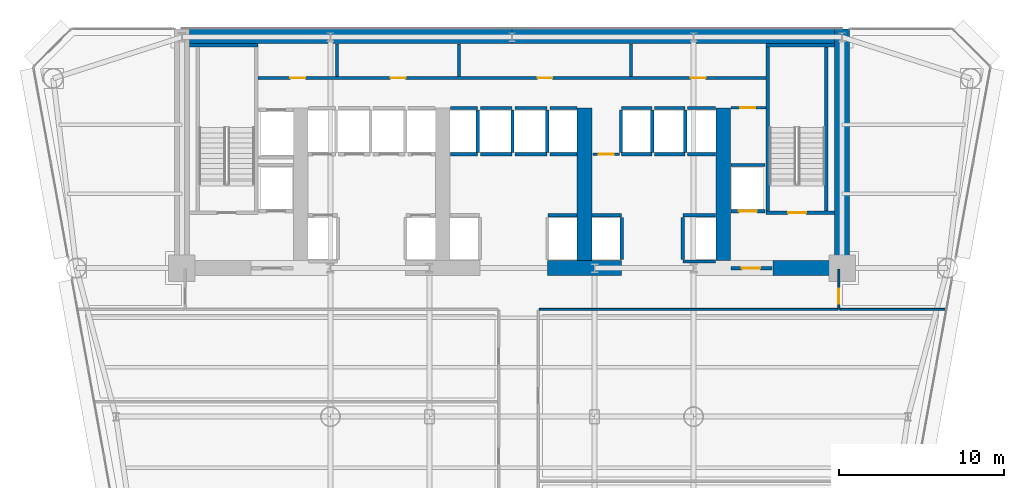
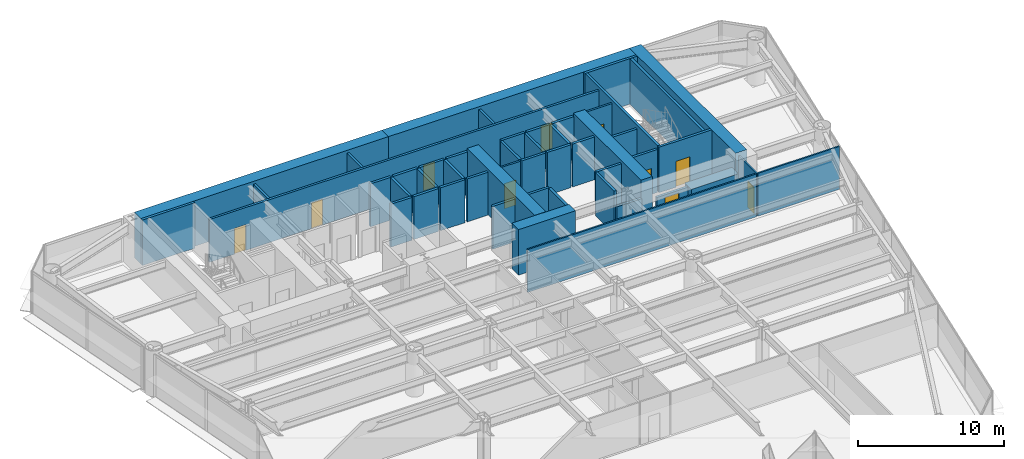
# One storey, part 9 of 14: 50 walls, 10 doors, 10 openings.
"""IFC4 building model written with IfcOpenShell, lengths in metres."""

from ifc_helpers import new_model, si_unit, direction, frame, frame_2d, origin, place, context, subcontext, project, spatial, rectangle, extrude, source, transform, mapped, material, layer, layer_set, type_object, element, fill, save


model = new_model("IFC4")

# Units and contexts
model_context = context("Model", 3, precision=1e-05, world=origin(), true_north=direction((0.0, 1.0)))
body_context = subcontext(model_context, "Body", "Model", "MODEL_VIEW")
ifc_project = project(units=[si_unit("LENGTHUNIT", "METRE"), si_unit("AREAUNIT", "SQUARE_METRE"), si_unit("VOLUMEUNIT", "CUBIC_METRE"), si_unit("PLANEANGLEUNIT", "RADIAN"), si_unit("MASSUNIT", "GRAM", prefix="KILO")], contexts=[model_context])

# Site, building, storey
site_placement = place(None, origin())
site = spatial("IfcSite", under=ifc_project, at=site_placement, CompositionType="ELEMENT")
building_placement = place(site_placement, origin())
building = spatial("IfcBuilding", under=site, at=building_placement, Name="Vaeldorn Concourse Tower", CompositionType="ELEMENT")
storey_placement = place(building_placement, frame((0.0, 0.0, 37.800048828125)))
storey = spatial("IfcBuildingStorey", under=building, at=storey_placement, Name="L09", CompositionType="ELEMENT", Elevation=37.800048828125)

# Walls
ifc_material_1 = material(Name="Concrete C60/75", Category="concrete")
ifc_layer_1 = layer(ifc_material_1, 0.89990234375)
ifc_layer_set_1 = layer_set([ifc_layer_1], Name="Concrete C60/75")
wall_type_1 = type_object("IfcWallType", Name="WL-CORE-900", PredefinedType="SHEAR", material=ifc_layer_set_1)
for number, where, z_axis, x_axis, name in (
    (1, (14.4541015625, 50.550048828125, 0.0), (0.0, 0.0, 1.0), (1.0, 0.0, 0.0), "Rear Core Shear Wall L09 N1"),
    (2, (34.001953125, 50.550048828125, 0.0), (0.0, 0.0, 1.0), (1.0, 0.0, 0.0), "Rear Core Shear Wall L09 N2"),
):
    element("IfcWall", number, at=place(storey_placement, frame(where, z_axis=z_axis, x_axis=x_axis)), inside=storey, type_object=wall_type_1, Name=name, PredefinedType="SHEAR", context=body_context, shape_type="SweptSolid", body=[
        extrude(rectangle(XDim=19.5439453125, YDim=0.89990234375, at=frame_2d((9.77197265625, 0.0))), origin(), (0.0, 0.0, 1.0), 3.800048828125),
    ])
wall_1_placement = place(storey_placement, frame((54.0, 36.5, 0.0), z_axis=(0.0, 0.0, 1.0), x_axis=(0.0, 1.0, 0.0)))
element("IfcWall", 3, at=wall_1_placement, inside=storey, type_object=wall_type_1, Name="Rear Core Shear Wall L09 E1", PredefinedType="SHEAR", context=body_context, shape_type="SweptSolid", body=[
    extrude(rectangle(XDim=14.5, YDim=0.89990234375, at=frame_2d((7.25, 0.0))), origin(), (0.0, 0.0, 1.0), 3.800048828125),
])
wall_2_placement = place(storey_placement, frame((36.14990234375, 36.5, 0.0), z_axis=(0.0, 0.0, 1.0), x_axis=(1.0, 0.0, 0.0)))
element("IfcWall", 4, at=wall_2_placement, inside=storey, type_object=wall_type_1, Name="Rear Core Shear Wall L09 S3", PredefinedType="SHEAR", context=body_context, shape_type="SweptSolid", body=[
    extrude(rectangle(XDim=4.5, YDim=0.89990234375, at=frame_2d((2.25, 0.0))), origin(), (0.0, 0.0, 1.0), 3.800048828125),
])
wall_3_placement = place(storey_placement, frame((49.800048828125, 36.5, 0.0), z_axis=(0.0, 0.0, 1.0), x_axis=(1.0, 0.0, 0.0)))
element("IfcWall", 5, at=wall_3_placement, inside=storey, type_object=wall_type_1, Name="Rear Core Shear Wall L09 S4", PredefinedType="SHEAR", context=body_context, shape_type="SweptSolid", body=[
    extrude(rectangle(XDim=3.72998046875, YDim=0.89990234375, at=frame_2d((1.864990234375, 0.0))), origin(), (0.0, 0.0, 1.0), 2.3798828125),
])
for number, where, z_axis, x_axis, name in (
    (6, (38.39990234375, 36.969970703125, 0.0), (0.0, 0.0, 1.0), (0.0, 1.0, 0.0), "Rear Core Shear Wall L09 M3"),
    (7, (46.800048828125, 36.969970703125, 0.0), (0.0, 0.0, 1.0), (0.0, 1.0, 0.0), "Rear Core Shear Wall L09 M4"),
):
    element("IfcWall", number, at=place(storey_placement, frame(where, z_axis=z_axis, x_axis=x_axis)), inside=storey, type_object=wall_type_1, Name=name, PredefinedType="SHEAR", context=body_context, shape_type="SweptSolid", body=[
        extrude(rectangle(XDim=9.22998046875, YDim=0.89990234375, at=frame_2d((4.614990234375, 0.0))), origin(), (0.0, 0.0, 1.0), 3.800048828125),
    ])
ifc_material_2 = material(Name="Gypsum Board Partition", Category="gypsum")
ifc_layer_2 = layer(ifc_material_2, 0.1201171875)
ifc_layer_set_2 = layer_set([ifc_layer_2], Name="Gypsum Board Partition")
wall_type_2 = type_object("IfcWallType", Name="WL-PART-120", PredefinedType="PARTITIONING", material=ifc_layer_set_2)
wall_4_placement = place(storey_placement, frame((35.659912109375, 34.0, 0.0), z_axis=(0.0, 0.0, 1.0), x_axis=(1.0, 0.0, 0.0)))
element("IfcWall", 8, at=wall_4_placement, inside=storey, type_object=wall_type_2, Name="Interior Wall PW-L09-C3SE", PredefinedType="PARTITIONING", context=body_context, shape_type="SweptSolid", body=[
    extrude(rectangle(XDim=18.080078125, YDim=0.1201171875, at=frame_2d((9.0400390625, 0.0))), origin(), (0.0, 0.0, 1.0), 3.579833984375),
])

# Wall, opening, door
wall_5_placement = place(storey_placement, frame((53.800048828125, 34.0, 0.0), z_axis=(0.0, 0.0, 1.0), x_axis=(0.0, 1.0, 0.0)))
wall_5 = element("IfcWall", 9, at=wall_5_placement, inside=storey, type_object=wall_type_2, Name="Interior Wall PW-L09-C3E", PredefinedType="PARTITIONING", context=body_context, shape_type="SweptSolid", body=[
    extrude(rectangle(XDim=2.43994140625, YDim=0.1201171875, at=frame_2d((1.219970703125, 0.0))), origin(), (0.0, 0.0, 1.0), 3.579833984375),
])
opening_1_placement = place(wall_5_placement, frame((0.35009765625, 0.0, 0.0)))
opening_1 = element("IfcOpeningElement", 10, at=opening_1_placement, cuts=wall_5, Name="Opening D-03", PredefinedType="OPENING", context=body_context, shape_type="SweptSolid", body=[
    extrude(rectangle(XDim=0.89990234375, YDim=2.14990234375, at=frame_2d((0.449951171875, 1.074951171875))), frame((0.0, 0.070068359375, 0.0), z_axis=(0.0, -1.0, 0.0), x_axis=(1.0, 0.0, 0.0)), (0.0, 0.0, 1.0), 0.14013671875),
])
ifc_material_3 = material(Name="Acoustic Bronze-Framed Glass Door", Category="glass")
door_type_1 = type_object("IfcDoorType", Name="DR-INT-900", OperationType="NOTDEFINED", PredefinedType="DOOR", material=ifc_material_3)
shared_shape_1 = source(origin(), body_context, "Body", "SweptSolid", [
    extrude(rectangle(XDim=0.89990234375, YDim=2.14990234375, at=frame_2d((0.449951171875, 1.074951171875))), frame((0.0, 0.02490234375, 0.0), z_axis=(0.0, -1.0, 0.0), x_axis=(1.0, 0.0, 0.0)), (0.0, 0.0, 1.0), 0.050048828125),
])
door_1_placement = place(opening_1_placement, origin())
door_1 = element("IfcDoor", 11, at=door_1_placement, inside=storey, type_object=door_type_1, Name="Interior Door DR-L09-Z3NE", OperationType="SINGLE_SWING_RIGHT", OverallHeight=2.14990234375, OverallWidth=0.89990234375, PredefinedType="DOOR", context=body_context, shape_type="MappedRepresentation", body=[
    mapped(shared_shape_1, transform((0.0, 0.0, 0.0), scale=1.0)),
])
fill(opening_1, door_1)

# Wall
wall_6_placement = place(storey_placement, frame((53.860107421875, 34.0, 0.0), z_axis=(0.0, 0.0, 1.0), x_axis=(1.0, 0.0, 0.0)))
element("IfcWall", 12, at=wall_6_placement, inside=storey, type_object=wall_type_2, Name="Interior Wall PW-L09-Z3NEB", PredefinedType="PARTITIONING", context=body_context, shape_type="SweptSolid", body=[
    extrude(rectangle(XDim=6.427490234375, YDim=0.1201171875, at=frame_2d((3.2138671875, 0.0))), origin(), (0.0, 0.0, 1.0), 3.579833984375),
])

# Wall, opening, door
ifc_layer_3 = layer(ifc_material_2, 0.14990234375)
ifc_layer_set_3 = layer_set([ifc_layer_3], Name="Gypsum Board Partition")
wall_type_3 = type_object("IfcWallType", Name="WL-PART-150", PredefinedType="PARTITIONING", material=ifc_layer_set_3)
wall_7_placement = place(storey_placement, frame((47.280029296875, 46.219970703125, 0.0), z_axis=(0.0, 0.0, 1.0), x_axis=(1.0, 0.0, 0.0)))
wall_7 = element("IfcWall", 13, at=wall_7_placement, inside=storey, type_object=wall_type_3, Name="Interior Wall CW-L09-CRSE-N", PredefinedType="PARTITIONING", context=body_context, shape_type="SweptSolid", body=[
    extrude(rectangle(XDim=2.099853515625, YDim=0.14990234375, at=frame_2d((1.0498046875, 0.0))), origin(), (0.0, 0.0, 1.0), 3.579833984375),
])
opening_2_placement = place(wall_7_placement, frame((0.550048828125, 0.0, 0.0)))
opening_2 = element("IfcOpeningElement", 14, at=opening_2_placement, cuts=wall_7, Name="Opening D-02", PredefinedType="OPENING", context=body_context, shape_type="SweptSolid", body=[
    extrude(rectangle(XDim=0.89990234375, YDim=2.10009765625, at=frame_2d((0.449951171875, 1.050048828125))), frame((0.0, 0.0849609375, 0.0), z_axis=(0.0, -1.0, 0.0), x_axis=(1.0, 0.0, 0.0)), (0.0, 0.0, 1.0), 0.169921875),
])
ifc_material_4 = material(Name="Fire-Rated Timber Leaf", Category="wood")
door_type_2 = type_object("IfcDoorType", Name="DR-FD30-900", OperationType="NOTDEFINED", PredefinedType="DOOR", material=ifc_material_4)
shared_shape_2 = source(origin(), body_context, "Body", "SweptSolid", [
    extrude(rectangle(XDim=0.89990234375, YDim=2.10009765625, at=frame_2d((0.449951171875, 1.050048828125))), frame((0.0, 0.02490234375, 0.0), z_axis=(0.0, -1.0, 0.0), x_axis=(1.0, 0.0, 0.0)), (0.0, 0.0, 1.0), 0.050048828125),
])
door_2_placement = place(opening_2_placement, origin())
door_2 = element("IfcDoor", 15, at=door_2_placement, inside=storey, type_object=door_type_2, Name="Interior Door DR-L09-CRSE", OperationType="SINGLE_SWING_RIGHT", OverallHeight=2.10009765625, OverallWidth=0.89990234375, PredefinedType="DOOR", context=body_context, shape_type="MappedRepresentation", body=[
    mapped(shared_shape_2, transform((0.0, 0.0, 0.0), scale=1.0)),
])
fill(opening_2, door_2)

wall_8_placement = place(storey_placement, frame((38.919921875, 43.39990234375, 0.0), z_axis=(0.0, 0.0, 1.0), x_axis=(1.0, 0.0, 0.0)))
wall_8 = element("IfcWall", 16, at=wall_8_placement, inside=storey, type_object=wall_type_3, Name="Interior Wall CW-L09-CCLINK", PredefinedType="PARTITIONING", context=body_context, shape_type="SweptSolid", body=[
    extrude(rectangle(XDim=1.60009765625, YDim=0.14990234375, at=frame_2d((0.800048828125, 0.0))), origin(), (0.0, 0.0, 1.0), 3.579833984375),
])
opening_3_placement = place(wall_8_placement, frame((0.35009765625, 0.0, 0.0)))
opening_3 = element("IfcOpeningElement", 17, at=opening_3_placement, cuts=wall_8, Name="Opening D-02", PredefinedType="OPENING", context=body_context, shape_type="SweptSolid", body=[
    extrude(rectangle(XDim=0.89990234375, YDim=2.10009765625, at=frame_2d((0.449951171875, 1.050048828125))), frame((0.0, 0.0849609375, 0.0), z_axis=(0.0, -1.0, 0.0), x_axis=(1.0, 0.0, 0.0)), (0.0, 0.0, 1.0), 0.169921875),
])
door_3_placement = place(opening_3_placement, origin())
door_3 = element("IfcDoor", 18, at=door_3_placement, inside=storey, type_object=door_type_2, Name="Interior Door DR-L09-CCLINK", OperationType="SINGLE_SWING_LEFT", OverallHeight=2.10009765625, OverallWidth=0.89990234375, PredefinedType="DOOR", context=body_context, shape_type="MappedRepresentation", body=[
    mapped(shared_shape_2, transform((0.0, 0.0, 0.0), scale=1.0)),
])
fill(opening_3, door_3)

# Wall, openings, doors
ifc_layer_4 = layer(ifc_material_2, 0.179931640625)
ifc_layer_set_4 = layer_set([ifc_layer_4], Name="Gypsum Board Partition")
wall_type_4 = type_object("IfcWallType", Name="WL-PLUMB-180", PredefinedType="PLUMBINGWALL", material=ifc_layer_set_4)
wall_9_placement = place(storey_placement, frame((18.6201171875, 48.02001953125, 0.0), z_axis=(0.0, 0.0, 1.0), x_axis=(1.0, 0.0, 0.0)))
wall_9 = element("IfcWall", 19, at=wall_9_placement, inside=storey, type_object=wall_type_4, Name="Interior Wall CW-L09-NS0", PredefinedType="PLUMBINGWALL", context=body_context, shape_type="SweptSolid", body=[
    extrude(rectangle(XDim=30.759765625, YDim=0.179931640625, at=frame_2d((15.3798828125, 0.0))), origin(), (0.0, 0.0, 1.0), 3.579833984375),
])
opening_4_placement = place(wall_9_placement, frame((1.955078125, 0.0, 0.0)))
opening_4 = element("IfcOpeningElement", 20, at=opening_4_placement, cuts=wall_9, Name="Opening D-03", PredefinedType="OPENING", context=body_context, shape_type="SweptSolid", body=[
    extrude(rectangle(XDim=0.89990234375, YDim=2.14990234375, at=frame_2d((0.449951171875, 1.074951171875))), frame((0.0, 0.10009765625, 0.0), z_axis=(0.0, -1.0, 0.0), x_axis=(1.0, 0.0, 0.0)), (0.0, 0.0, 1.0), 0.199951171875),
])
opening_5_placement = place(wall_9_placement, frame((8.030029296875, 0.0, 0.0)))
opening_5 = element("IfcOpeningElement", 21, at=opening_5_placement, cuts=wall_9, Name="Opening D-03", PredefinedType="OPENING", context=body_context, shape_type="SweptSolid", body=[
    extrude(rectangle(XDim=0.89990234375, YDim=2.14990234375, at=frame_2d((0.449951171875, 1.074951171875))), frame((0.0, 0.10009765625, 0.0), z_axis=(0.0, -1.0, 0.0), x_axis=(1.0, 0.0, 0.0)), (0.0, 0.0, 1.0), 0.199951171875),
])
opening_6_placement = place(wall_9_placement, frame((16.929931640625, 0.0, 0.0)))
opening_6 = element("IfcOpeningElement", 22, at=opening_6_placement, cuts=wall_9, Name="Opening D-03", PredefinedType="OPENING", context=body_context, shape_type="SweptSolid", body=[
    extrude(rectangle(XDim=0.89990234375, YDim=2.14990234375, at=frame_2d((0.449951171875, 1.074951171875))), frame((0.0, 0.10009765625, 0.0), z_axis=(0.0, -1.0, 0.0), x_axis=(1.0, 0.0, 0.0)), (0.0, 0.0, 1.0), 0.199951171875),
])
opening_7_placement = place(wall_9_placement, frame((26.205078125, 0.0, 0.0)))
opening_7 = element("IfcOpeningElement", 23, at=opening_7_placement, cuts=wall_9, Name="Opening D-03", PredefinedType="OPENING", context=body_context, shape_type="SweptSolid", body=[
    extrude(rectangle(XDim=0.89990234375, YDim=2.14990234375, at=frame_2d((0.449951171875, 1.074951171875))), frame((0.0, 0.10009765625, 0.0), z_axis=(0.0, -1.0, 0.0), x_axis=(1.0, 0.0, 0.0)), (0.0, 0.0, 1.0), 0.199951171875),
])
door_4_placement = place(opening_4_placement, origin())
door_4 = element("IfcDoor", 24, at=door_4_placement, inside=storey, type_object=door_type_1, Name="Interior Door DR-L09-CS1", OperationType="SINGLE_SWING_LEFT", OverallHeight=2.14990234375, OverallWidth=0.89990234375, PredefinedType="DOOR", context=body_context, shape_type="MappedRepresentation", body=[
    mapped(shared_shape_1, transform((0.0, 0.0, 0.0), scale=1.0)),
])
fill(opening_4, door_4)
door_5_placement = place(opening_5_placement, origin())
door_5 = element("IfcDoor", 25, at=door_5_placement, inside=storey, type_object=door_type_1, Name="Interior Door DR-L09-CS2", OperationType="SINGLE_SWING_RIGHT", OverallHeight=2.14990234375, OverallWidth=0.89990234375, PredefinedType="DOOR", context=body_context, shape_type="MappedRepresentation", body=[
    mapped(shared_shape_1, transform((0.0, 0.0, 0.0), scale=1.0)),
])
fill(opening_5, door_5)
door_6_placement = place(opening_6_placement, origin())
door_6 = element("IfcDoor", 26, at=door_6_placement, inside=storey, type_object=door_type_1, Name="Interior Door DR-L09-CS3", OperationType="SINGLE_SWING_LEFT", OverallHeight=2.14990234375, OverallWidth=0.89990234375, PredefinedType="DOOR", context=body_context, shape_type="MappedRepresentation", body=[
    mapped(shared_shape_1, transform((0.0, 0.0, 0.0), scale=1.0)),
])
fill(opening_6, door_6)
door_7_placement = place(opening_7_placement, origin())
door_7 = element("IfcDoor", 27, at=door_7_placement, inside=storey, type_object=door_type_1, Name="Interior Door DR-L09-CS4", OperationType="SINGLE_SWING_RIGHT", OverallHeight=2.14990234375, OverallWidth=0.89990234375, PredefinedType="DOOR", context=body_context, shape_type="MappedRepresentation", body=[
    mapped(shared_shape_1, transform((0.0, 0.0, 0.0), scale=1.0)),
])
fill(opening_7, door_7)

# Walls
for number, where, z_axis, x_axis, name in (
    (28, (23.39990234375, 48.10009765625, 0.0), (0.0, 0.0, 1.0), (0.0, 1.0, 0.0), "Interior Wall CW-L09-NDIV1"),
    (29, (30.800048828125, 48.10009765625, 0.0), (0.0, 0.0, 1.0), (0.0, 1.0, 0.0), "Interior Wall CW-L09-NDIV2"),
    (30, (41.199951171875, 48.10009765625, 0.0), (0.0, 0.0, 1.0), (0.0, 1.0, 0.0), "Interior Wall CW-L09-NDIV3"),
):
    element("IfcWall", number, at=place(storey_placement, frame(where, z_axis=z_axis, x_axis=x_axis)), inside=storey, type_object=wall_type_4, Name=name, PredefinedType="PLUMBINGWALL", context=body_context, shape_type="SweptSolid", body=[
        extrude(rectangle(XDim=1.97998046875, YDim=0.179931640625, at=frame_2d((0.989990234375, 0.0))), origin(), (0.0, 0.0, 1.0), 3.579833984375),
    ])
ifc_material_5 = material(Name="Concrete C50/60", Category="concrete")
ifc_layer_5 = layer(ifc_material_5, 0.199951171875)
ifc_layer_set_5 = layer_set([ifc_layer_5], Name="Concrete C50/60")
wall_type_5 = type_object("IfcWallType", Name="WL-SHAFT-200", PredefinedType="SOLIDWALL", material=ifc_layer_set_5)
wall_10_placement = place(storey_placement, frame((14.449951171875, 50.0, 0.0), z_axis=(0.0, 0.0, 1.0), x_axis=(1.0, 0.0, 0.0)))
element("IfcWall", 31, at=wall_10_placement, inside=storey, type_object=wall_type_5, Name="Stair Shaft Wall CW-L09-ST-1-N", PredefinedType="SOLIDWALL", context=body_context, shape_type="SweptSolid", body=[
    extrude(rectangle(XDim=4.150146484375, YDim=0.199951171875, at=frame_2d((2.0751953125, 0.0))), origin(), (0.0, 0.0, 1.0), 3.800048828125),
])

# Wall, opening, door
wall_11_placement = place(storey_placement, frame((49.39990234375, 39.85009765625, 0.0), z_axis=(0.0, 0.0, 1.0), x_axis=(1.0, 0.0, 0.0)))
wall_11 = element("IfcWall", 32, at=wall_11_placement, inside=storey, type_object=wall_type_5, Name="Stair Shaft Wall CW-L09-ST-2-S", PredefinedType="SOLIDWALL", context=body_context, shape_type="SweptSolid", body=[
    extrude(rectangle(XDim=4.150146484375, YDim=0.199951171875, at=frame_2d((2.0751953125, 0.0))), origin(), (0.0, 0.0, 1.0), 3.800048828125),
])
opening_8_placement = place(wall_11_placement, frame((1.324951171875, 0.0, 0.0)))
opening_8 = element("IfcOpeningElement", 33, at=opening_8_placement, cuts=wall_11, Name="Opening D-01", PredefinedType="OPENING", context=body_context, shape_type="SweptSolid", body=[
    extrude(rectangle(XDim=1.10009765625, YDim=2.14990234375, at=frame_2d((0.550048828125, 1.074951171875))), frame((0.0, 0.10986328125, 0.0), z_axis=(0.0, -1.0, 0.0), x_axis=(1.0, 0.0, 0.0)), (0.0, 0.0, 1.0), 0.219970703125),
])
ifc_material_6 = material(Name="Fire-Rated Timber and Steel Leaf", Category="steel")
door_type_3 = type_object("IfcDoorType", Name="DR-FD60-1100", OperationType="NOTDEFINED", PredefinedType="DOOR", material=ifc_material_6)
shared_shape_3 = source(origin(), body_context, "Body", "SweptSolid", [
    extrude(rectangle(XDim=1.10009765625, YDim=2.14990234375, at=frame_2d((0.550048828125, 1.074951171875))), frame((0.0, 0.02490234375, 0.0), z_axis=(0.0, -1.0, 0.0), x_axis=(1.0, 0.0, 0.0)), (0.0, 0.0, 1.0), 0.050048828125),
])
door_8_placement = place(opening_8_placement, origin())
door_8 = element("IfcDoor", 34, at=door_8_placement, inside=storey, type_object=door_type_3, Name="Interior Door DR-L09-ST-2", OperationType="SINGLE_SWING_RIGHT", OverallHeight=2.14990234375, OverallWidth=1.10009765625, PredefinedType="DOOR", context=body_context, shape_type="MappedRepresentation", body=[
    mapped(shared_shape_3, transform((0.0, 0.0, 0.0), scale=1.0)),
])
fill(opening_8, door_8)

# Walls
wall_12_placement = place(storey_placement, frame((49.39990234375, 50.0, 0.0), z_axis=(0.0, 0.0, 1.0), x_axis=(1.0, 0.0, 0.0)))
element("IfcWall", 35, at=wall_12_placement, inside=storey, type_object=wall_type_5, Name="Stair Shaft Wall CW-L09-ST-2-N", PredefinedType="SOLIDWALL", context=body_context, shape_type="SweptSolid", body=[
    extrude(rectangle(XDim=4.150146484375, YDim=0.199951171875, at=frame_2d((2.0751953125, 0.0))), origin(), (0.0, 0.0, 1.0), 3.800048828125),
])
for number, where, z_axis, x_axis, name in (
    (36, (49.5, 39.9599609375, 0.0), (0.0, 0.0, 1.0), (0.0, 1.0, 0.0), "Stair Shaft Wall CW-L09-ST-2-W"),
    (37, (53.050048828125, 39.9599609375, 0.0), (0.0, 0.0, 1.0), (0.0, 1.0, 0.0), "Stair Shaft Wall CW-L09-ST-2-E"),
):
    element("IfcWall", number, at=place(storey_placement, frame(where, z_axis=z_axis, x_axis=x_axis)), inside=storey, type_object=wall_type_5, Name=name, PredefinedType="SOLIDWALL", context=body_context, shape_type="SweptSolid", body=[
        extrude(rectangle(XDim=9.929931640625, YDim=0.199951171875, at=frame_2d((4.96484375, 0.0))), origin(), (0.0, 0.0, 1.0), 3.800048828125),
    ])

# Wall, opening, door
wall_13_placement = place(storey_placement, frame((47.280029296875, 36.5, 0.0), z_axis=(0.0, 0.0, 1.0), x_axis=(1.0, 0.0, 0.0)))
wall_13 = element("IfcWall", 38, at=wall_13_placement, inside=storey, type_object=wall_type_5, Name="Interior Wall CW-L09-FF2S", PredefinedType="SOLIDWALL", context=body_context, shape_type="SweptSolid", body=[
    extrude(rectangle(XDim=2.469970703125, YDim=0.199951171875, at=frame_2d((1.23486328125, 0.0))), origin(), (0.0, 0.0, 1.0), 2.369873046875),
])
opening_9_placement = place(wall_13_placement, frame((0.64990234375, 0.0, 0.0)))
opening_9 = element("IfcOpeningElement", 39, at=opening_9_placement, cuts=wall_13, Name="Opening D-01", PredefinedType="OPENING", context=body_context, shape_type="SweptSolid", body=[
    extrude(rectangle(XDim=1.10009765625, YDim=2.14990234375, at=frame_2d((0.550048828125, 1.074951171875))), frame((0.0, 0.10986328125, 0.0), z_axis=(0.0, -1.0, 0.0), x_axis=(1.0, 0.0, 0.0)), (0.0, 0.0, 1.0), 0.219970703125),
])
door_9_placement = place(opening_9_placement, origin())
door_9 = element("IfcDoor", 40, at=door_9_placement, inside=storey, type_object=door_type_3, Name="Interior Door DR-L09-FF2W", OperationType="SINGLE_SWING_LEFT", OverallHeight=2.14990234375, OverallWidth=1.10009765625, PredefinedType="DOOR", context=body_context, shape_type="MappedRepresentation", body=[
    mapped(shared_shape_3, transform((0.0, 0.0, 0.0), scale=1.0)),
])
fill(opening_9, door_9)

# Walls
wall_14_placement = place(storey_placement, frame((36.169921875, 39.699951171875, 0.0), z_axis=(0.0, 0.0, 1.0), x_axis=(1.0, 0.0, 0.0)))
element("IfcWall", 41, at=wall_14_placement, inside=storey, type_object=wall_type_5, Name="Interior Wall CW-L09-LF-LF-08", PredefinedType="SOLIDWALL", context=body_context, shape_type="SweptSolid", body=[
    extrude(rectangle(XDim=1.77001953125, YDim=0.199951171875, at=frame_2d((0.885009765625, 0.0))), origin(), (0.0, 0.0, 1.0), 3.579833984375),
])
for number, where, z_axis, x_axis, name in (
    (42, (30.260009765625, 43.39990234375, 0.0), (0.0, 0.0, 1.0), (1.0, 0.0, 0.0), "Interior Wall CW-L09-LF-LF-09"),
    (43, (30.260009765625, 46.199951171875, 0.0), (0.0, 0.0, 1.0), (1.0, 0.0, 0.0), "Interior Wall CW-L09-LFB-LF-09"),
):
    element("IfcWall", number, at=place(storey_placement, frame(where, z_axis=z_axis, x_axis=x_axis)), inside=storey, type_object=wall_type_5, Name=name, PredefinedType="SOLIDWALL", context=body_context, shape_type="SweptSolid", body=[
        extrude(rectangle(XDim=1.64990234375, YDim=0.199951171875, at=frame_2d((0.824951171875, 0.0))), origin(), (0.0, 0.0, 1.0), 3.579833984375),
    ])
wall_15_placement = place(storey_placement, frame((31.929931640625, 43.52001953125, 0.0), z_axis=(0.0, 0.0, 1.0), x_axis=(0.0, 1.0, 0.0)))
element("IfcWall", 44, at=wall_15_placement, inside=storey, type_object=wall_type_5, Name="Interior Wall CW-L09-LFE-LF-09", PredefinedType="SOLIDWALL", context=body_context, shape_type="SweptSolid", body=[
    extrude(rectangle(XDim=2.56005859375, YDim=0.199951171875, at=frame_2d((1.280029296875, 0.0))), origin(), (0.0, 0.0, 1.0), 3.579833984375),
])
for number, where, z_axis, x_axis, name in (
    (45, (32.090087890625, 43.39990234375, 0.0), (0.0, 0.0, 1.0), (1.0, 0.0, 0.0), "Interior Wall CW-L09-LF-LF-10"),
    (46, (32.090087890625, 46.199951171875, 0.0), (0.0, 0.0, 1.0), (1.0, 0.0, 0.0), "Interior Wall CW-L09-LFB-LF-10"),
):
    element("IfcWall", number, at=place(storey_placement, frame(where, z_axis=z_axis, x_axis=x_axis)), inside=storey, type_object=wall_type_5, Name=name, PredefinedType="SOLIDWALL", context=body_context, shape_type="SweptSolid", body=[
        extrude(rectangle(XDim=1.919921875, YDim=0.199951171875, at=frame_2d((0.9599609375, 0.0))), origin(), (0.0, 0.0, 1.0), 3.579833984375),
    ])
wall_16_placement = place(storey_placement, frame((34.030029296875, 43.52001953125, 0.0), z_axis=(0.0, 0.0, 1.0), x_axis=(0.0, 1.0, 0.0)))
element("IfcWall", 47, at=wall_16_placement, inside=storey, type_object=wall_type_5, Name="Interior Wall CW-L09-LFE-LF-10", PredefinedType="SOLIDWALL", context=body_context, shape_type="SweptSolid", body=[
    extrude(rectangle(XDim=2.56005859375, YDim=0.199951171875, at=frame_2d((1.280029296875, 0.0))), origin(), (0.0, 0.0, 1.0), 3.579833984375),
])
for number, where, z_axis, x_axis, name in (
    (48, (34.18994140625, 43.39990234375, 0.0), (0.0, 0.0, 1.0), (1.0, 0.0, 0.0), "Interior Wall CW-L09-LF-LF-11"),
    (49, (34.18994140625, 46.199951171875, 0.0), (0.0, 0.0, 1.0), (1.0, 0.0, 0.0), "Interior Wall CW-L09-LFB-LF-11"),
):
    element("IfcWall", number, at=place(storey_placement, frame(where, z_axis=z_axis, x_axis=x_axis)), inside=storey, type_object=wall_type_5, Name=name, PredefinedType="SOLIDWALL", context=body_context, shape_type="SweptSolid", body=[
        extrude(rectangle(XDim=1.920166015625, YDim=0.199951171875, at=frame_2d((0.9599609375, 0.0))), origin(), (0.0, 0.0, 1.0), 3.579833984375),
    ])
wall_17_placement = place(storey_placement, frame((36.1298828125, 43.52001953125, 0.0), z_axis=(0.0, 0.0, 1.0), x_axis=(0.0, 1.0, 0.0)))
element("IfcWall", 50, at=wall_17_placement, inside=storey, type_object=wall_type_5, Name="Interior Wall CW-L09-LFE-LF-11", PredefinedType="SOLIDWALL", context=body_context, shape_type="SweptSolid", body=[
    extrude(rectangle(XDim=2.56005859375, YDim=0.199951171875, at=frame_2d((1.280029296875, 0.0))), origin(), (0.0, 0.0, 1.0), 3.579833984375),
])
for number, where, z_axis, x_axis, name in (
    (51, (36.2900390625, 43.39990234375, 0.0), (0.0, 0.0, 1.0), (1.0, 0.0, 0.0), "Interior Wall CW-L09-LF-LF-12"),
    (52, (36.2900390625, 46.199951171875, 0.0), (0.0, 0.0, 1.0), (1.0, 0.0, 0.0), "Interior Wall CW-L09-LFB-LF-12"),
):
    element("IfcWall", number, at=place(storey_placement, frame(where, z_axis=z_axis, x_axis=x_axis)), inside=storey, type_object=wall_type_5, Name=name, PredefinedType="SOLIDWALL", context=body_context, shape_type="SweptSolid", body=[
        extrude(rectangle(XDim=1.64990234375, YDim=0.199951171875, at=frame_2d((0.824951171875, 0.0))), origin(), (0.0, 0.0, 1.0), 3.579833984375),
    ])
wall_18_placement = place(storey_placement, frame((38.860107421875, 39.699951171875, 0.0), z_axis=(0.0, 0.0, 1.0), x_axis=(1.0, 0.0, 0.0)))
element("IfcWall", 53, at=wall_18_placement, inside=storey, type_object=wall_type_5, Name="Interior Wall CW-L09-LF-LF-13", PredefinedType="SOLIDWALL", context=body_context, shape_type="SweptSolid", body=[
    extrude(rectangle(XDim=1.769775390625, YDim=0.199951171875, at=frame_2d((0.884765625, 0.0))), origin(), (0.0, 0.0, 1.0), 3.579833984375),
])
wall_19_placement = place(storey_placement, frame((40.64990234375, 37.02001953125, 0.0), z_axis=(0.0, 0.0, 1.0), x_axis=(0.0, 1.0, 0.0)))
element("IfcWall", 54, at=wall_19_placement, inside=storey, type_object=wall_type_5, Name="Interior Wall CW-L09-LFE-LF-13", PredefinedType="SOLIDWALL", context=body_context, shape_type="SweptSolid", body=[
    extrude(rectangle(XDim=2.56005859375, YDim=0.199951171875, at=frame_2d((1.280029296875, 0.0))), origin(), (0.0, 0.0, 1.0), 3.579833984375),
])
wall_20_placement = place(storey_placement, frame((44.3701171875, 39.699951171875, 0.0), z_axis=(0.0, 0.0, 1.0), x_axis=(1.0, 0.0, 0.0)))
element("IfcWall", 55, at=wall_20_placement, inside=storey, type_object=wall_type_5, Name="Interior Wall CW-L09-LF-LF-14", PredefinedType="SOLIDWALL", context=body_context, shape_type="SweptSolid", body=[
    extrude(rectangle(XDim=1.9599609375, YDim=0.199951171875, at=frame_2d((0.97998046875, 0.0))), origin(), (0.0, 0.0, 1.0), 3.579833984375),
])
wall_21_placement = place(storey_placement, frame((44.3701171875, 36.89990234375, 0.0), z_axis=(0.0, 0.0, 1.0), x_axis=(1.0, 0.0, 0.0)))
element("IfcWall", 56, at=wall_21_placement, inside=storey, type_object=wall_type_5, Name="Interior Wall CW-L09-LFB-LF-14", PredefinedType="SOLIDWALL", context=body_context, shape_type="SweptSolid", body=[
    extrude(rectangle(XDim=1.9599609375, YDim=0.199951171875, at=frame_2d((0.97998046875, 0.0))), origin(), (0.0, 0.0, 1.0), 2.369873046875),
])
wall_22_placement = place(storey_placement, frame((44.35009765625, 37.02001953125, 0.0), z_axis=(0.0, 0.0, 1.0), x_axis=(0.0, 1.0, 0.0)))
element("IfcWall", 57, at=wall_22_placement, inside=storey, type_object=wall_type_5, Name="Interior Wall CW-L09-LFW-LF-14", PredefinedType="SOLIDWALL", context=body_context, shape_type="SweptSolid", body=[
    extrude(rectangle(XDim=2.56005859375, YDim=0.199951171875, at=frame_2d((1.280029296875, 0.0))), origin(), (0.0, 0.0, 1.0), 3.579833984375),
])
for number, where, z_axis, x_axis, name in (
    (58, (40.6201171875, 43.39990234375, 0.0), (0.0, 0.0, 1.0), (1.0, 0.0, 0.0), "Interior Wall CW-L09-LF-LF-15"),
    (59, (40.6201171875, 46.199951171875, 0.0), (0.0, 0.0, 1.0), (1.0, 0.0, 0.0), "Interior Wall CW-L09-LFB-LF-15"),
):
    element("IfcWall", number, at=place(storey_placement, frame(where, z_axis=z_axis, x_axis=x_axis)), inside=storey, type_object=wall_type_5, Name=name, PredefinedType="SOLIDWALL", context=body_context, shape_type="SweptSolid", body=[
        extrude(rectangle(XDim=1.85986328125, YDim=0.199951171875, at=frame_2d((0.929931640625, 0.0))), origin(), (0.0, 0.0, 1.0), 3.579833984375),
    ])
for number, where, z_axis, x_axis, name in (
    (60, (40.60009765625, 43.52001953125, 0.0), (0.0, 0.0, 1.0), (0.0, 1.0, 0.0), "Interior Wall CW-L09-LFW-LF-15"),
    (61, (42.5, 43.52001953125, 0.0), (0.0, 0.0, 1.0), (0.0, 1.0, 0.0), "Interior Wall CW-L09-LFE-LF-15"),
):
    element("IfcWall", number, at=place(storey_placement, frame(where, z_axis=z_axis, x_axis=x_axis)), inside=storey, type_object=wall_type_5, Name=name, PredefinedType="SOLIDWALL", context=body_context, shape_type="SweptSolid", body=[
        extrude(rectangle(XDim=2.56005859375, YDim=0.199951171875, at=frame_2d((1.280029296875, 0.0))), origin(), (0.0, 0.0, 1.0), 3.579833984375),
    ])
for number, where, z_axis, x_axis, name in (
    (62, (42.6201171875, 43.39990234375, 0.0), (0.0, 0.0, 1.0), (1.0, 0.0, 0.0), "Interior Wall CW-L09-LF-LF-16"),
    (63, (42.6201171875, 46.199951171875, 0.0), (0.0, 0.0, 1.0), (1.0, 0.0, 0.0), "Interior Wall CW-L09-LFB-LF-16"),
):
    element("IfcWall", number, at=place(storey_placement, frame(where, z_axis=z_axis, x_axis=x_axis)), inside=storey, type_object=wall_type_5, Name=name, PredefinedType="SOLIDWALL", context=body_context, shape_type="SweptSolid", body=[
        extrude(rectangle(XDim=1.85986328125, YDim=0.199951171875, at=frame_2d((0.929931640625, 0.0))), origin(), (0.0, 0.0, 1.0), 3.579833984375),
    ])
wall_23_placement = place(storey_placement, frame((44.5, 43.52001953125, 0.0), z_axis=(0.0, 0.0, 1.0), x_axis=(0.0, 1.0, 0.0)))
element("IfcWall", 64, at=wall_23_placement, inside=storey, type_object=wall_type_5, Name="Interior Wall CW-L09-LFE-LF-16", PredefinedType="SOLIDWALL", context=body_context, shape_type="SweptSolid", body=[
    extrude(rectangle(XDim=2.56005859375, YDim=0.199951171875, at=frame_2d((1.280029296875, 0.0))), origin(), (0.0, 0.0, 1.0), 3.579833984375),
])
for number, where, z_axis, x_axis, name in (
    (65, (44.6201171875, 43.39990234375, 0.0), (0.0, 0.0, 1.0), (1.0, 0.0, 0.0), "Interior Wall CW-L09-LF-LF-17"),
    (66, (44.6201171875, 46.199951171875, 0.0), (0.0, 0.0, 1.0), (1.0, 0.0, 0.0), "Interior Wall CW-L09-LFB-LF-17"),
):
    element("IfcWall", number, at=place(storey_placement, frame(where, z_axis=z_axis, x_axis=x_axis)), inside=storey, type_object=wall_type_5, Name=name, PredefinedType="SOLIDWALL", context=body_context, shape_type="SweptSolid", body=[
        extrude(rectangle(XDim=1.719970703125, YDim=0.199951171875, at=frame_2d((0.85986328125, 0.0))), origin(), (0.0, 0.0, 1.0), 3.579833984375),
    ])

# Wall, opening, door
wall_24_placement = place(storey_placement, frame((47.260009765625, 39.949951171875, 0.0), z_axis=(0.0, 0.0, 1.0), x_axis=(1.0, 0.0, 0.0)))
wall_24 = element("IfcWall", 67, at=wall_24_placement, inside=storey, type_object=wall_type_5, Name="Interior Wall CW-L09-LF-LF-FF2", PredefinedType="SOLIDWALL", context=body_context, shape_type="SweptSolid", body=[
    extrude(rectangle(XDim=2.070068359375, YDim=0.199951171875, at=frame_2d((1.03515625, 0.0))), origin(), (0.0, 0.0, 1.0), 3.579833984375),
])
opening_10_placement = place(wall_24_placement, frame((0.485107421875, 0.0, 0.0)))
opening_10 = element("IfcOpeningElement", 68, at=opening_10_placement, cuts=wall_24, Name="Opening LD-1", PredefinedType="OPENING", context=body_context, shape_type="SweptSolid", body=[
    extrude(rectangle(XDim=1.10009765625, YDim=2.14990234375, at=frame_2d((0.550048828125, 1.074951171875))), frame((0.0, 0.10986328125, 0.0), z_axis=(0.0, -1.0, 0.0), x_axis=(1.0, 0.0, 0.0)), (0.0, 0.0, 1.0), 0.219970703125),
])
ifc_material_7 = material(Name="Anodised Bronze Aluminium", Category="aluminium")
door_type_4 = type_object("IfcDoorType", Name="DR-LIFT-SLIDE-1100", OperationType="DOUBLE_DOOR_SLIDING", PredefinedType="DOOR", material=ifc_material_7)
door_10_placement = place(opening_10_placement, origin())
door_10 = element("IfcDoor", 69, at=door_10_placement, inside=storey, type_object=door_type_4, Name="Lift Landing Door LD-L09-LF-FF2", OperationType="DOUBLE_DOOR_SLIDING", OverallHeight=2.14990234375, OverallWidth=1.10009765625, PredefinedType="DOOR", context=body_context, shape_type="MappedRepresentation", body=[
    mapped(shared_shape_3, transform((0.0, 0.0, 0.0), scale=1.0)),
])
fill(opening_10, door_10)

# Wall
wall_25_placement = place(storey_placement, frame((47.260009765625, 42.75, 0.0), z_axis=(0.0, 0.0, 1.0), x_axis=(1.0, 0.0, 0.0)))
element("IfcWall", 70, at=wall_25_placement, inside=storey, type_object=wall_type_5, Name="Interior Wall CW-L09-LFB-LF-FF2", PredefinedType="SOLIDWALL", context=body_context, shape_type="SweptSolid", body=[
    extrude(rectangle(XDim=2.070068359375, YDim=0.199951171875, at=frame_2d((1.03515625, 0.0))), origin(), (0.0, 0.0, 1.0), 3.579833984375),
])

save(model, "model.ifc")
